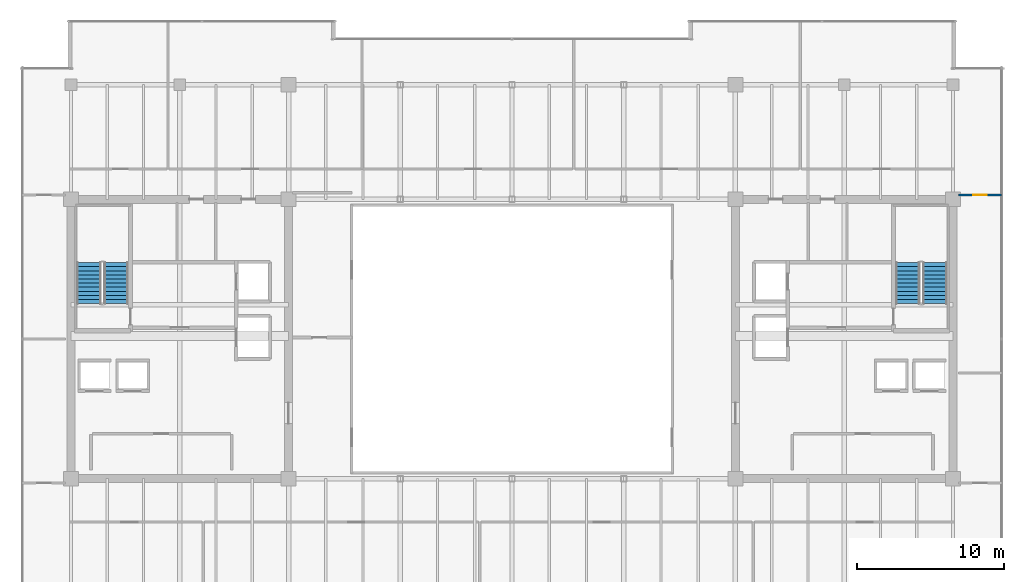
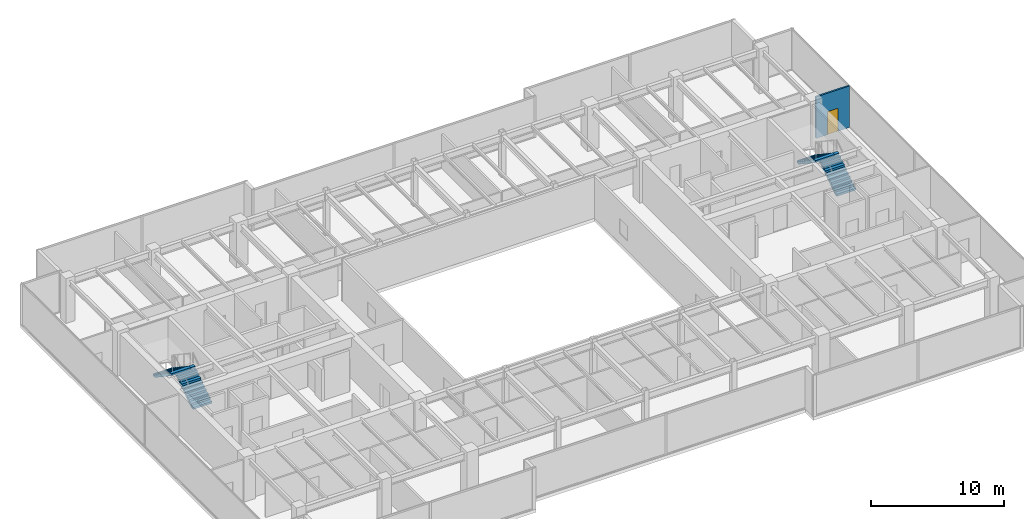
# One storey, part 31 of 33: 4 stair flights, 1 door, 1 wall, 1 opening, 2 elements without a shape of their own.
"""IFC4 building model written with IfcOpenShell, lengths in metres."""

from ifc_helpers import new_model, si_unit, direction, frame, frame_2d, origin, place, context, subcontext, project, spatial, polyline, rectangle, outline, extrude, source, transform, mapped, material, layer, layer_set, type_object, type_shapes, element, fill, aggregate, save


model = new_model("IFC4")

# Units and contexts
model_context = context("Model", 3, precision=1e-05, world=origin(), true_north=direction((0.0, 1.0)))
body_context = subcontext(model_context, "Body", "Model", "MODEL_VIEW")
ifc_project = project(units=[si_unit("LENGTHUNIT", "METRE"), si_unit("AREAUNIT", "SQUARE_METRE"), si_unit("VOLUMEUNIT", "CUBIC_METRE"), si_unit("PLANEANGLEUNIT", "RADIAN"), si_unit("MASSUNIT", "GRAM", prefix="KILO")], contexts=[model_context])

# Site, building, storey
site_placement = place(None, origin())
site = spatial("IfcSite", under=ifc_project, at=site_placement, CompositionType="ELEMENT")
building_placement = place(site_placement, origin())
building = spatial("IfcBuilding", under=site, at=building_placement, Name="Haelvirn Gate Laboratories", CompositionType="ELEMENT")
storey_placement = place(building_placement, frame((0.0, 0.0, 213.699951171875)))
storey = spatial("IfcBuildingStorey", under=building, at=storey_placement, Name="L51", CompositionType="ELEMENT", Elevation=213.699951171875)

# Wall, opening, door
ifc_material_1 = material(Name="Acoustic mineral-wool gypsum board partition", Category="gypsum")
ifc_layer = layer(ifc_material_1, 0.139892578125, Name="IW-PART-140")
ifc_layer_set = layer_set([ifc_layer], Name="Acoustic mineral-wool gypsum board partition")
wall_type = type_object("IfcWallType", Name="IW-PART-140", PredefinedType="PARTITIONING", material=ifc_layer_set)
wall_placement = place(storey_placement, frame((67.780029296875, 34.094970703125, 0.0), z_axis=(0.0, 0.0, 1.0), x_axis=(1.0, 0.0, 0.0)))
wall = element("IfcWall", 1, at=wall_placement, inside=storey, type_object=wall_type, Name="L51 Interior Wall IW-L51-EZ3-ENT-N", PredefinedType="PARTITIONING", context=body_context, shape_type="SweptSolid", body=[
    extrude(rectangle(XDim=2.909912109375, YDim=0.139892578125, at=frame_2d((1.455078125, 0.0))), origin(), (0.0, 0.0, 1.0), 3.800048828125),
])
opening_placement = place(wall_placement, frame((1.0048828125, 0.0, 0.0)))
opening = element("IfcOpeningElement", 2, at=opening_placement, cuts=wall, Name="Opening D4", PredefinedType="OPENING", context=body_context, shape_type="SweptSolid", body=[
    extrude(rectangle(XDim=0.89990234375, YDim=2.10009765625, at=frame_2d((0.449951171875, 1.050048828125))), frame((0.0, 0.080078125, 0.0), z_axis=(0.0, -1.0, 0.0), x_axis=(1.0, 0.0, 0.0)), (0.0, 0.0, 1.0), 0.159912109375),
])
ifc_material_2 = material(Name="Glazed aluminium-framed write-up door", Category="aluminium")
door_type = type_object("IfcDoorType", Name="DR-OFF-900", OperationType="NOTDEFINED", PredefinedType="DOOR", material=ifc_material_2)
shared_shape_1 = source(origin(), body_context, "Body", "SweptSolid", [
    extrude(rectangle(XDim=0.89990234375, YDim=2.10009765625, at=frame_2d((0.449951171875, 1.050048828125))), frame((0.0, 0.02490234375, 0.0), z_axis=(0.0, -1.0, 0.0), x_axis=(1.0, 0.0, 0.0)), (0.0, 0.0, 1.0), 0.050048828125),
])
type_shapes(door_type, [shared_shape_1])
door_placement = place(opening_placement, origin())
door = element("IfcDoor", 3, at=door_placement, inside=storey, type_object=door_type, Name="L51 Chemical Synthesis Laboratory Door E-N", OperationType="SINGLE_SWING_RIGHT", OverallHeight=2.10009765625, OverallWidth=0.89990234375, PredefinedType="DOOR", context=body_context, shape_type="MappedRepresentation", body=[
    mapped(shared_shape_1, transform((0.0, 0.0, 0.0), scale=1.0)),
])
fill(opening, door)

# Stair, stair flights
ifc_material_3 = material(Name="Concrete C40/50", Category="concrete")
stair_type = type_object("IfcStairType", Name="ST-DOG-1650-R22", PredefinedType="HALF_TURN_STAIR", material=ifc_material_3)
stair_1_placement = place(storey_placement, origin())
stair_1 = element("IfcStair", 4, at=stair_1_placement, inside=storey, type_object=stair_type, Name="L51 Escape Stair ST1", PredefinedType="HALF_TURN_STAIR")
stair_flight_type = type_object("IfcStairFlightType", Name="STF-1650-R11", PredefinedType="STRAIGHT", material=ifc_material_3)
shared_shape_2 = source(origin(), body_context, "Body", "SweptSolid", [
    extrude(outline(polyline([(0.0, 0.0), (0.0, 0.186279296875), (0.280029296875, 0.186279296875), (0.280029296875, 0.372802734375), (0.56005859375, 0.372802734375), (0.56005859375, 0.55908203125), (0.840087890625, 0.55908203125), (0.840087890625, 0.745361328125), (1.1201171875, 0.745361328125), (1.1201171875, 0.931884765625), (1.39990234375, 0.931884765625), (1.39990234375, 1.1181640625), (1.679931640625, 1.1181640625), (1.679931640625, 1.304443359375), (1.9599609375, 1.304443359375), (1.9599609375, 1.490966796875), (2.239990234375, 1.490966796875), (2.239990234375, 1.67724609375), (2.52001953125, 1.67724609375), (2.52001953125, 1.863525390625), (2.800048828125, 1.863525390625), (2.800048828125, 2.050048828125), (2.800048828125, 1.671630859375), (0.28857421875, 0.0), (0.0, 0.0)])), frame((0.0, 0.824951171875, 0.0), z_axis=(0.0, -1.0, 0.0), x_axis=(1.0, 0.0, 0.0)), (0.0, 0.0, 1.0), 1.64990234375),
])
type_shapes(stair_flight_type, [shared_shape_2])
stair_flight_1_placement = place(storey_placement, frame((10.47509765625, 26.699951171875, 0.0), z_axis=(0.0, 0.0, 1.0), x_axis=(0.0, 1.0, 0.0)))
stair_flight_1 = element("IfcStairFlight", 5, at=stair_flight_1_placement, type_object=stair_flight_type, Name="ST1 flight 1", NumberOfRisers=11, NumberOfTreads=10, PredefinedType="STRAIGHT", RiserHeight=0.186363636, TreadLength=0.28, context=body_context, shape_type="MappedRepresentation", body=[
    mapped(shared_shape_2, transform((0.0, 0.0, 0.0), scale=1.0)),
])
stair_flight_2_placement = place(storey_placement, frame((8.625, 29.5, 2.050048828125), z_axis=(0.0, 0.0, 1.0), x_axis=(0.0, -1.0, 0.0)))
stair_flight_2 = element("IfcStairFlight", 6, at=stair_flight_2_placement, type_object=stair_flight_type, Name="ST1 flight 2", NumberOfRisers=11, NumberOfTreads=10, PredefinedType="STRAIGHT", RiserHeight=0.186363636, TreadLength=0.28, context=body_context, shape_type="MappedRepresentation", body=[
    mapped(shared_shape_2, transform((0.0, 0.0, 0.0), scale=1.0)),
])
aggregate(stair_1, [stair_flight_1, stair_flight_2])

stair_2_placement = place(storey_placement, origin())
stair_2 = element("IfcStair", 7, at=stair_2_placement, inside=storey, type_object=stair_type, Name="L51 Escape Stair ST2", PredefinedType="HALF_TURN_STAIR")
stair_flight_3_placement = place(storey_placement, frame((66.175048828125, 26.699951171875, 0.0), z_axis=(0.0, 0.0, 1.0), x_axis=(0.0, 1.0, 0.0)))
stair_flight_3 = element("IfcStairFlight", 8, at=stair_flight_3_placement, type_object=stair_flight_type, Name="ST2 flight 1", NumberOfRisers=11, NumberOfTreads=10, PredefinedType="STRAIGHT", RiserHeight=0.186363636, TreadLength=0.28, context=body_context, shape_type="MappedRepresentation", body=[
    mapped(shared_shape_2, transform((0.0, 0.0, 0.0), scale=1.0)),
])
stair_flight_4_placement = place(storey_placement, frame((64.324951171875, 29.5, 2.050048828125), z_axis=(0.0, 0.0, 1.0), x_axis=(0.0, -1.0, 0.0)))
stair_flight_4 = element("IfcStairFlight", 9, at=stair_flight_4_placement, type_object=stair_flight_type, Name="ST2 flight 2", NumberOfRisers=11, NumberOfTreads=10, PredefinedType="STRAIGHT", RiserHeight=0.186363636, TreadLength=0.28, context=body_context, shape_type="MappedRepresentation", body=[
    mapped(shared_shape_2, transform((0.0, 0.0, 0.0), scale=1.0)),
])
aggregate(stair_2, [stair_flight_3, stair_flight_4])

save(model, "model.ifc")
